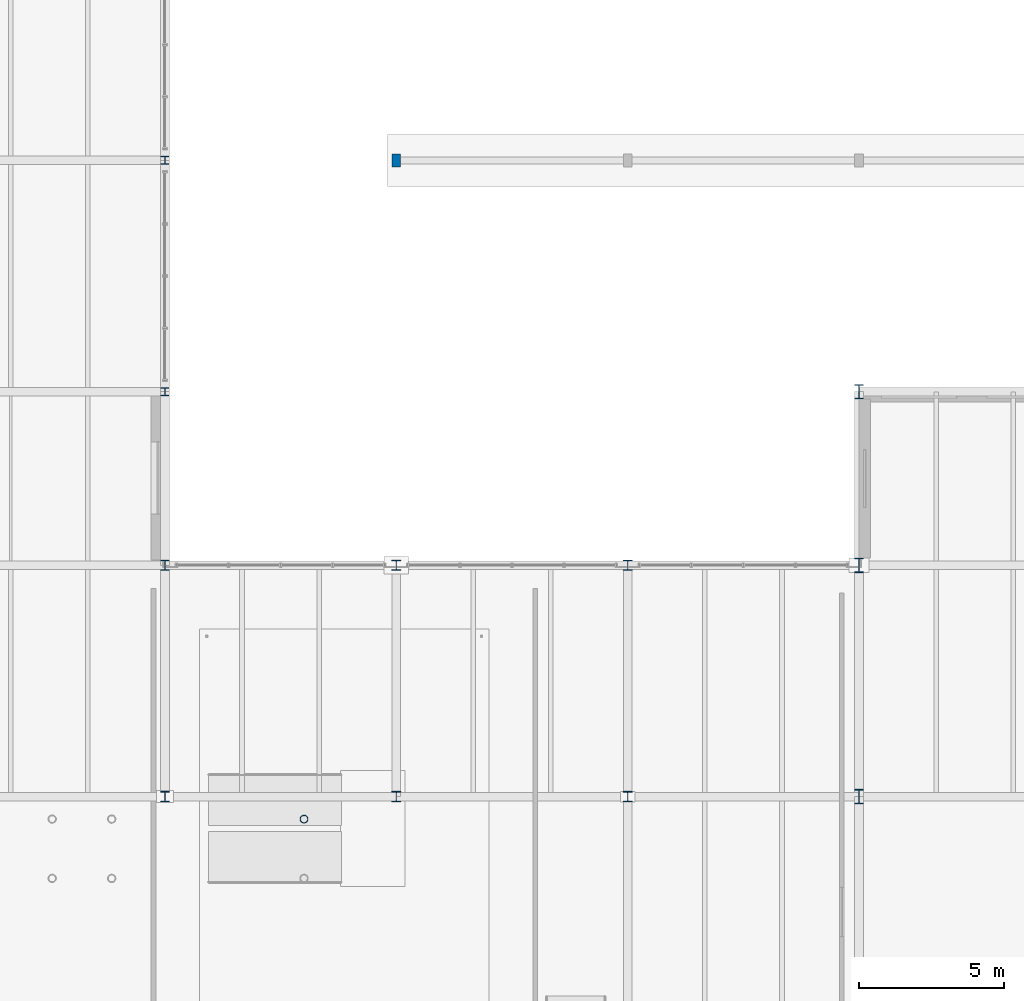
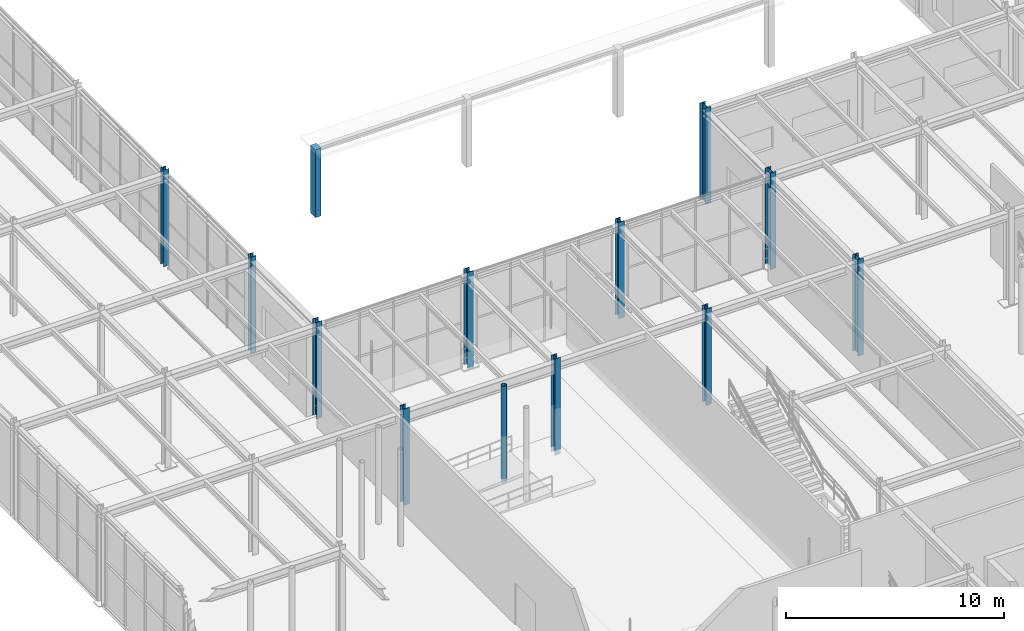
# One storey, part 8 of 129: 13 columns.
"""IFC4 building model written with IfcOpenShell, lengths in metres."""

from ifc_helpers import new_model, si_unit, direction, frame, origin, origin_2d, place, context, subcontext, project, spatial, rectangle, hollow_circle, i_section, extrude, material, material_profile, profile_set, type_object, element, save


model = new_model("IFC4")

# Units and contexts
model_context = context("Model", 3, precision=1e-05, world=origin(), true_north=direction((0.0, 1.0)))
body_context = subcontext(model_context, "Body", "Model", "MODEL_VIEW")
ifc_project = project(units=[si_unit("LENGTHUNIT", "METRE"), si_unit("AREAUNIT", "SQUARE_METRE"), si_unit("VOLUMEUNIT", "CUBIC_METRE"), si_unit("PLANEANGLEUNIT", "RADIAN"), si_unit("MASSUNIT", "GRAM", prefix="KILO")], contexts=[model_context])

# Site, building, storey
site_placement = place(None, origin())
site = spatial("IfcSite", under=ifc_project, at=site_placement, CompositionType="ELEMENT")
building_placement = place(site_placement, origin())
building = spatial("IfcBuilding", under=site, at=building_placement, Name="Sundkrona Museum", CompositionType="ELEMENT")
storey_placement = place(building_placement, origin())
storey = spatial("IfcBuildingStorey", under=building, at=storey_placement, Name="L00", CompositionType="ELEMENT", Elevation=0.0)

# Columns
ifc_material_1 = material(Name="Steel S355J2", Category="steel")
ifc_material_profile_1 = material_profile(ifc_material_1, hollow_circle(Radius=0.136474609375, WallThickness=0.012451171875, at=origin_2d()), Name="CHS 273.0x12.5")
ifc_profile_set_1 = profile_set([ifc_material_profile_1], Name="Steel S355J2")
column_type_1 = type_object("IfcColumnType", Name="C-CHS273", PredefinedType="COLUMN", material=ifc_profile_set_1)
column_1_placement = place(storey_placement, frame((100.81005859375, 31.22509765625, 0.0), z_axis=(0.0, 0.0, 1.0), x_axis=(1.0, 0.0, 0.0)))
element("IfcColumn", 1, at=column_1_placement, inside=storey, type_object=column_type_1, Name="L00 Feature Stair FS-3 Column S3-2", PredefinedType="COLUMN", context=body_context, shape_type="SweptSolid", body=[
    extrude(hollow_circle(Radius=0.136474609375, WallThickness=0.012451171875, at=origin_2d()), origin(), (0.0, 0.0, 1.0), 5.39990234375),
])
ifc_material_profile_2 = material_profile(ifc_material_1, i_section(OverallWidth=0.280029296875, OverallDepth=0.280029296875, WebThickness=0.010498046875, FlangeThickness=0.01806640625, FilletRadius=0.02392578125, at=origin_2d()), Name="HEB 280")
ifc_profile_set_2 = profile_set([ifc_material_profile_2], Name="Steel S355J2")
column_type_2 = type_object("IfcColumnType", Name="C-HEB280", PredefinedType="COLUMN", material=ifc_profile_set_2)
for number, where, z_axis, x_axis, name in (
    (2, (96.0, 46.0, 0.0), (0.0, 0.0, 1.0), (1.0, 0.0, 0.0), "L00 Column G/13"),
    (3, (96.0, 54.0, 0.0), (0.0, 0.0, 1.0), (1.0, 0.0, 0.0), "L00 Column H/13"),
):
    element("IfcColumn", number, at=place(storey_placement, frame(where, z_axis=z_axis, x_axis=x_axis)), inside=storey, type_object=column_type_2, Name=name, PredefinedType="COLUMN", context=body_context, shape_type="SweptSolid", body=[
        extrude(i_section(OverallWidth=0.280029296875, OverallDepth=0.280029296875, WebThickness=0.010498046875, FlangeThickness=0.01806640625, FilletRadius=0.02392578125, at=origin_2d()), origin(), (0.0, 0.0, 1.0), 5.39990234375),
    ])
ifc_material_profile_3 = material_profile(ifc_material_1, i_section(OverallWidth=0.300048828125, OverallDepth=0.360107421875, WebThickness=0.012451171875, FlangeThickness=0.0224609375, FilletRadius=0.027099609375, at=origin_2d()), Name="HEB 360")
ifc_profile_set_3 = profile_set([ifc_material_profile_3], Name="Steel S355J2")
column_type_3 = type_object("IfcColumnType", Name="C-HEB360", PredefinedType="COLUMN", material=ifc_profile_set_3)
for number, where, z_axis, x_axis, name in (
    (4, (96.0, 32.0, 0.0), (0.0, 0.0, 1.0), (1.0, 0.0, 0.0), "L00 Column E/13"),
    (5, (96.0, 40.0, 0.0), (0.0, 0.0, 1.0), (1.0, 0.0, 0.0), "L00 Column F/13"),
    (6, (104.0, 32.0, 0.0), (0.0, 0.0, 1.0), (1.0, 0.0, 0.0), "L00 Column E/14"),
    (7, (104.0, 40.0, 0.0), (0.0, 0.0, 1.0), (1.0, 0.0, 0.0), "L00 Column F/14"),
    (8, (112.0, 32.0, 0.0), (0.0, 0.0, 1.0), (1.0, 0.0, 0.0), "L00 Column E/15"),
    (9, (112.0, 40.0, 0.0), (0.0, 0.0, 1.0), (1.0, 0.0, 0.0), "L00 Column F/15"),
):
    element("IfcColumn", number, at=place(storey_placement, frame(where, z_axis=z_axis, x_axis=x_axis)), inside=storey, type_object=column_type_3, Name=name, PredefinedType="COLUMN", context=body_context, shape_type="SweptSolid", body=[
        extrude(i_section(OverallWidth=0.300048828125, OverallDepth=0.360107421875, WebThickness=0.012451171875, FlangeThickness=0.0224609375, FilletRadius=0.027099609375, at=origin_2d()), origin(), (0.0, 0.0, 1.0), 5.39990234375),
    ])
ifc_material_profile_4 = material_profile(ifc_material_1, i_section(OverallWidth=0.300048828125, OverallDepth=0.5, WebThickness=0.014404296875, FlangeThickness=0.028076171875, FilletRadius=0.027099609375, at=origin_2d()), Name="HEB 500")
ifc_profile_set_4 = profile_set([ifc_material_profile_4], Name="Steel S355J2")
column_type_4 = type_object("IfcColumnType", Name="C-HEB500", PredefinedType="COLUMN", material=ifc_profile_set_4)
for number, where, z_axis, x_axis, name in (
    (10, (120.0, 32.0, 0.0), (0.0, 0.0, 1.0), (1.0, 0.0, 0.0), "L00 Column E/16"),
    (11, (120.0, 40.0, 0.0), (0.0, 0.0, 1.0), (1.0, 0.0, 0.0), "L00 Column F/16"),
    (12, (120.0, 46.0, 0.0), (0.0, 0.0, 1.0), (1.0, 0.0, 0.0), "L00 Column G/16"),
):
    element("IfcColumn", number, at=place(storey_placement, frame(where, z_axis=z_axis, x_axis=x_axis)), inside=storey, type_object=column_type_4, Name=name, PredefinedType="COLUMN", context=body_context, shape_type="SweptSolid", body=[
        extrude(i_section(OverallWidth=0.300048828125, OverallDepth=0.5, WebThickness=0.014404296875, FlangeThickness=0.028076171875, FilletRadius=0.027099609375, at=origin_2d()), origin(), (0.0, 0.0, 1.0), 5.39990234375),
    ])
ifc_material_2 = material(Name="Concrete C40/50", Category="concrete")
ifc_material_profile_5 = material_profile(ifc_material_2, rectangle(XDim=0.300048828125, YDim=0.449951171875, at=origin_2d()), Name="RC 450x300")
ifc_profile_set_5 = profile_set([ifc_material_profile_5], Name="Concrete C40/50")
column_type_5 = type_object("IfcColumnType", Name="PIL-450", PredefinedType="PILASTER", material=ifc_profile_set_5)
column_2_placement = place(storey_placement, frame((104.0, 54.0, 0.0), z_axis=(0.0, 0.0, 1.0), x_axis=(1.0, 0.0, 0.0)))
element("IfcColumn", 13, at=column_2_placement, inside=storey, type_object=column_type_5, Name="Courtyard Cloister Pilaster PF-SC-01", PredefinedType="PILASTER", context=body_context, shape_type="SweptSolid", body=[
    extrude(rectangle(XDim=0.300048828125, YDim=0.449951171875, at=origin_2d()), origin(), (0.0, 0.0, 1.0), 3.800048828125),
])

save(model, "model.ifc")
